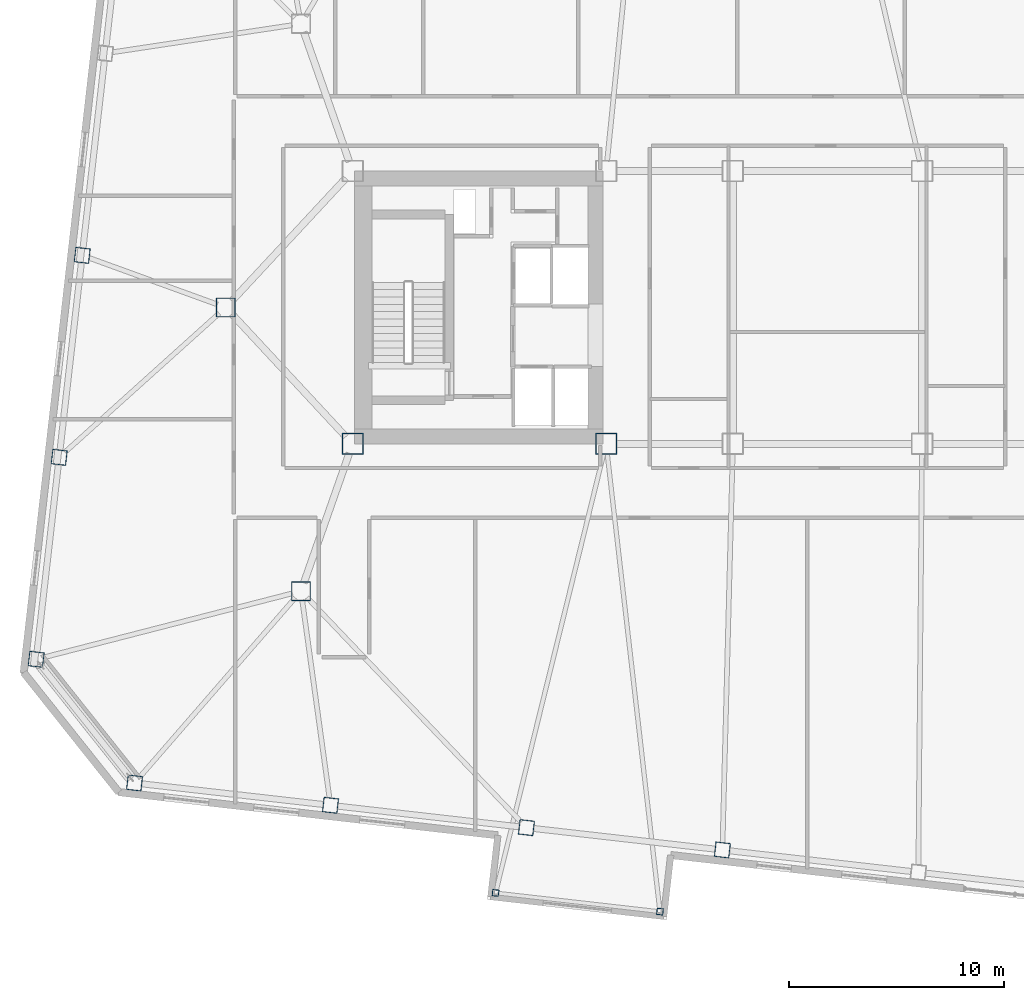
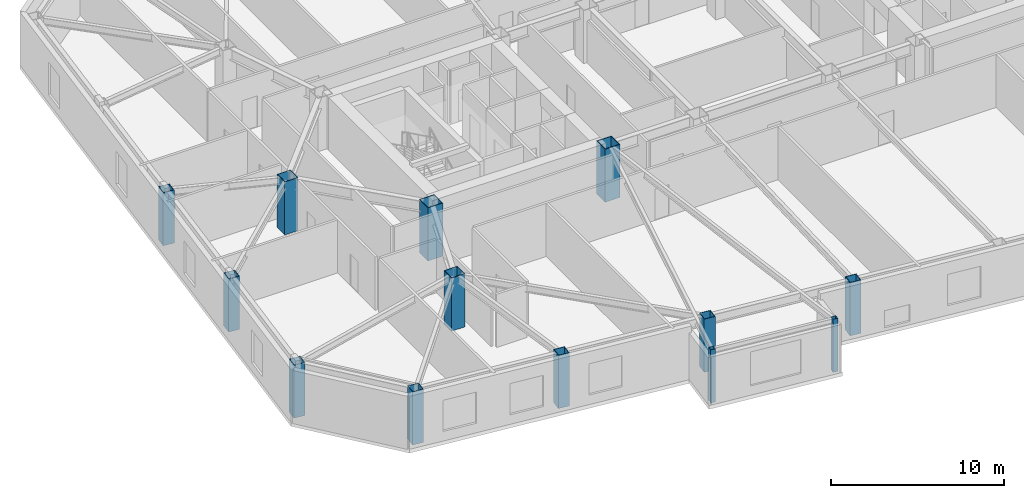
# One storey, part 1 of 19: 13 columns.
"""IFC4 building model written with IfcOpenShell, lengths in metres."""

from ifc_helpers import new_model, si_unit, direction, frame, origin, origin_2d, place, context, subcontext, project, spatial, hollow_rectangle, extrude, material, material_profile, profile_set, type_object, element, save


model = new_model("IFC4")

# Units and contexts
model_context = context("Model", 3, precision=1e-05, world=origin(), true_north=direction((0.0, 1.0)))
body_context = subcontext(model_context, "Body", "Model", "MODEL_VIEW")
ifc_project = project(units=[si_unit("LENGTHUNIT", "METRE"), si_unit("AREAUNIT", "SQUARE_METRE"), si_unit("VOLUMEUNIT", "CUBIC_METRE"), si_unit("PLANEANGLEUNIT", "RADIAN"), si_unit("MASSUNIT", "GRAM", prefix="KILO")], contexts=[model_context])

# Site, building, storey
site_placement = place(None, origin())
site = spatial("IfcSite", under=ifc_project, at=site_placement, CompositionType="ELEMENT")
building_placement = place(site_placement, origin())
building = spatial("IfcBuilding", under=site, at=building_placement, Name="Tavrogorsk Clinical Tower", CompositionType="ELEMENT")
storey_placement = place(building_placement, frame((0.0, 0.0, 101.39990234375)))
storey = spatial("IfcBuildingStorey", under=building, at=storey_placement, Name="L22", CompositionType="ELEMENT", Elevation=101.39990234375)

# Columns
ifc_material_1 = material(Name="Structural steel S390", Category="steel")
ifc_material_profile_1 = material_profile(ifc_material_1, hollow_rectangle(XDim=0.300048828125, YDim=0.300048828125, WallThickness=0.01611328125, at=origin_2d()), Name="SHS-300x300x16")
ifc_profile_set_1 = profile_set([ifc_material_profile_1], Name="Structural steel S390")
column_type_1 = type_object("IfcColumnType", Name="DayroomCol_SHS300", PredefinedType="COLUMN", material=ifc_profile_set_1)
for number, where, z_axis, x_axis, name in (
    (1, (-15.445068359375, -27.243408203125, 0.0), (0.0, 0.0, 1.0), (0.993571855677, -0.113203213768, 0.0), "L22 Day-Room Box Column DRB-03-L"),
    (2, (-7.79443359375, -28.114990234375, 0.0), (0.0, 0.0, 1.0), (0.993571855677, -0.113203213768, 0.0), "L22 Day-Room Box Column DRB-03-R"),
):
    element("IfcColumn", number, at=place(storey_placement, frame(where, z_axis=z_axis, x_axis=x_axis)), inside=storey, type_object=column_type_1, Name=name, PredefinedType="COLUMN", context=body_context, shape_type="SweptSolid", body=[
        extrude(hollow_rectangle(XDim=0.300048828125, YDim=0.300048828125, WallThickness=0.01611328125, at=origin_2d()), origin(), (0.0, 0.0, 1.0), 3.739990234375),
    ])
ifc_material_2 = material(Name="Structural steel S440", Category="steel")
ifc_material_profile_2 = material_profile(ifc_material_2, hollow_rectangle(XDim=1.0, YDim=1.0, WallThickness=0.044921875, at=origin_2d()), Name="BOX-1000x1000x45")
ifc_profile_set_2 = profile_set([ifc_material_profile_2], Name="Structural steel S440")
column_type_2 = type_object("IfcColumnType", Name="MegaCol_BOX1000", PredefinedType="COLUMN", material=ifc_profile_set_2)
for number, where, z_axis, x_axis, name in (
    (3, (-22.10009765625, -6.35009765625, 0.0), (0.0, 0.0, 1.0), (1.0, 0.0, 0.0), "L22 Mega Column MC-W1"),
    (4, (-10.300048828125, -6.35009765625, 0.0), (0.0, 0.0, 1.0), (1.0, 0.0, 0.0), "L22 Mega Column MC-W3"),
):
    element("IfcColumn", number, at=place(storey_placement, frame(where, z_axis=z_axis, x_axis=x_axis)), inside=storey, type_object=column_type_2, Name=name, PredefinedType="COLUMN", context=body_context, shape_type="SweptSolid", body=[
        extrude(hollow_rectangle(XDim=1.0, YDim=1.0, WallThickness=0.044921875, at=origin_2d()), origin(), (0.0, 0.0, 1.0), 3.739990234375),
    ])
ifc_material_3 = material(Name="Structural steel S440", Category="steel")
ifc_material_profile_3 = material_profile(ifc_material_3, hollow_rectangle(XDim=0.89990234375, YDim=0.89990234375, WallThickness=0.0400390625, at=origin_2d()), Name="BOX-900x900x40")
ifc_profile_set_3 = profile_set([ifc_material_profile_3], Name="Structural steel S440")
column_type_3 = type_object("IfcColumnType", Name="MegaCol_BOX900", PredefinedType="COLUMN", material=ifc_profile_set_3)
for number, where, z_axis, x_axis, name in (
    (5, (-24.5, -13.199951171875, 0.0), (0.0, 0.0, 1.0), (1.0, 0.0, 0.0), "L22 Spine Pilotis Column MC-P1"),
    (6, (-28.0, 0.0, 0.0), (0.0, 0.0, 1.0), (1.0, 0.0, 0.0), "L22 Spine Pilotis Column MC-P5"),
):
    element("IfcColumn", number, at=place(storey_placement, frame(where, z_axis=z_axis, x_axis=x_axis)), inside=storey, type_object=column_type_3, Name=name, PredefinedType="COLUMN", context=body_context, shape_type="SweptSolid", body=[
        extrude(hollow_rectangle(XDim=0.89990234375, YDim=0.89990234375, WallThickness=0.0400390625, at=origin_2d()), origin(), (0.0, 0.0, 1.0), 3.739990234375),
    ])
ifc_material_4 = material(Name="Structural steel S440", Category="steel")
ifc_material_profile_4 = material_profile(ifc_material_4, hollow_rectangle(XDim=0.699951171875, YDim=0.699951171875, WallThickness=0.031982421875, at=origin_2d()), Name="BOX-700x700x32")
ifc_profile_set_4 = profile_set([ifc_material_profile_4], Name="Structural steel S440")
column_type_4 = type_object("IfcColumnType", Name="PerimCol_B2_BOX700", PredefinedType="COLUMN", material=ifc_profile_set_4)
for number, where, z_axis, x_axis, name in (
    (7, (-32.243896484375, -22.12890625, 0.0), (0.0, 0.0, 1.0), (0.993571855677, -0.113203213768, 0.0), "L22 Perimeter Column S1"),
    (8, (-23.1259765625, -23.167724609375, 0.0), (0.0, 0.0, 1.0), (0.993571855677, -0.113203213768, 0.0), "L22 Perimeter Column S2"),
    (9, (-14.0078125, -24.20654296875, 0.0), (0.0, 0.0, 1.0), (0.993571855677, -0.113203213768, 0.0), "L22 Perimeter Column S3"),
    (10, (-4.8896484375, -25.24560546875, 0.0), (0.0, 0.0, 1.0), (0.993571855677, -0.113203213768, 0.0), "L22 Perimeter Column S4"),
    (11, (-34.68017578125, 2.4248046875, 0.0), (0.0, 0.0, 1.0), (0.993571855677, -0.113203213768, 0.0), "L22 Perimeter Column W3"),
    (12, (-35.7509765625, -6.974365234375, 0.0), (0.0, 0.0, 1.0), (0.993571855677, -0.113203213768, 0.0), "L22 Perimeter Column W4"),
    (13, (-36.822021484375, -16.37353515625, 0.0), (0.0, 0.0, 1.0), (0.993571855677, -0.113203213768, 0.0), "L22 Perimeter Column W5"),
):
    element("IfcColumn", number, at=place(storey_placement, frame(where, z_axis=z_axis, x_axis=x_axis)), inside=storey, type_object=column_type_4, Name=name, PredefinedType="COLUMN", context=body_context, shape_type="SweptSolid", body=[
        extrude(hollow_rectangle(XDim=0.699951171875, YDim=0.699951171875, WallThickness=0.031982421875, at=origin_2d()), origin(), (0.0, 0.0, 1.0), 3.739990234375),
    ])

save(model, "model.ifc")
